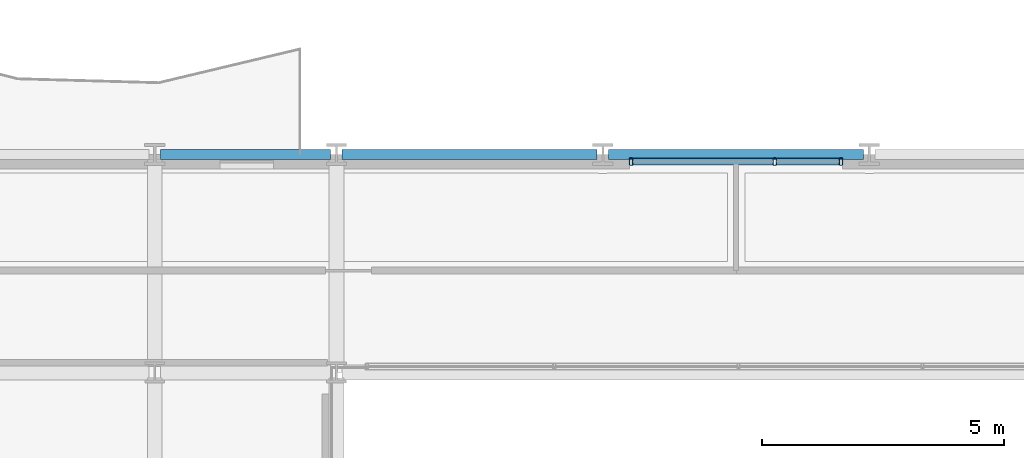
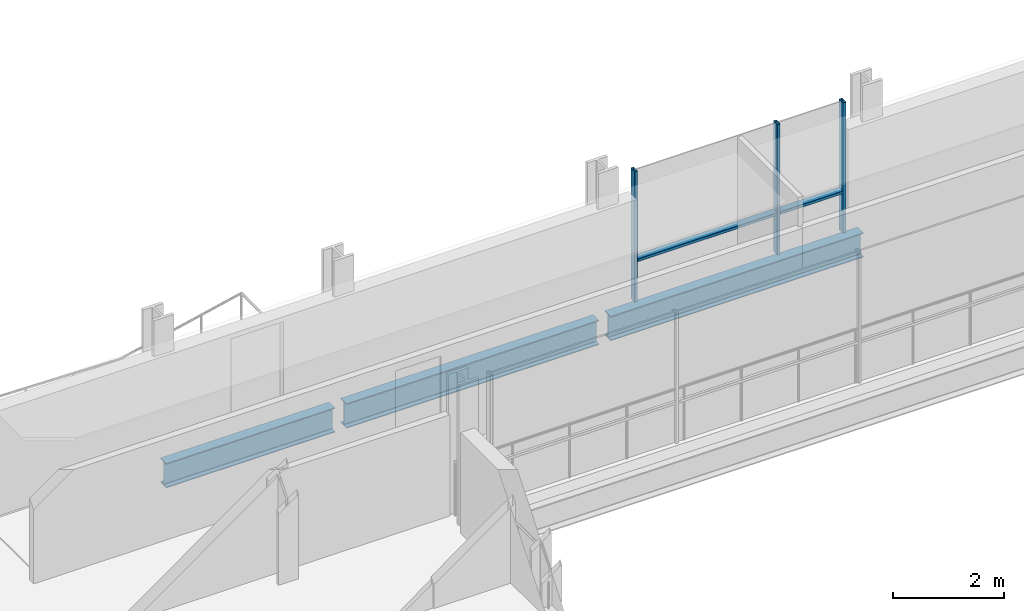
# One storey, part 22 of 41: 5 members, 3 beams, 1 element without a shape of its own.
"""IFC4 building model written with IfcOpenShell, lengths in metres."""

import ifcopenshell
import ifcopenshell.guid

model = None  # the IFC model being written
_history = None  # IfcOwnerHistory: only IFC2X3 demands one
_inside = {}  # id of a spatial element -> (the spatial element, [elements in it])
_under = {}  # id of a project, library or spatial element -> (it, [spatial elements below it])
_declared = {}  # id of a project -> (the project, [libraries it declares])
_typed = {}  # id of a type object -> (the type object, [elements of that type])
_made_of = {}  # id of a material, layer set ... -> (it, [elements and type objects made of it])


def new_model(schema):
    """Start an empty IFC model of exactly this schema.

    Asked for "IFC4X3", IfcOpenShell would pick the latest addendum, in which some entities
    have other attributes; the version numbers below select the first issue.
    IFC2X3 requires an IfcOwnerHistory on every rooted entity: one is made here for all.
    """
    global model, _history
    if schema == "IFC4X3":
        model = ifcopenshell.file(schema_version=(4, 3, 0, 0))
    else:
        model = ifcopenshell.file(schema=schema)
    _inside.clear()
    _under.clear()
    _declared.clear()
    _typed.clear()
    _made_of.clear()
    _history = None
    if model.schema == "IFC2X3":
        org = make("IfcOrganization", Name="unknown")
        user = make(
            "IfcPersonAndOrganization",
            ThePerson=make("IfcPerson", FamilyName="unknown"),
            TheOrganization=org,
        )
        app = make(
            "IfcApplication",
            ApplicationDeveloper=org,
            Version="unknown",
            ApplicationFullName="unknown",
            ApplicationIdentifier="unknown",
        )
        _history = make(
            "IfcOwnerHistory",
            OwningUser=user,
            OwningApplication=app,
            ChangeAction="ADDED",
            CreationDate=0,
        )
    return model


def make(cls, **values):
    """One entity of the class cls with the attributes given. An attribute that is None is left unset."""
    return model.create_entity(
        cls, **{name: value for name, value in values.items() if value is not None}
    )


def rooted(cls, **values):
    """An entity with a GlobalId (a new one), such as an element, a storey or a relation."""
    return make(cls, GlobalId=ifcopenshell.guid.new(), OwnerHistory=_history, **values)


def si_unit(unit_type, name, prefix=None):
    """IfcSIUnit, for example si_unit("LENGTHUNIT", "METRE", prefix="MILLI")."""
    return make("IfcSIUnit", UnitType=unit_type, Prefix=prefix, Name=name)


def assignment(units):
    """IfcUnitAssignment: the units of a project."""
    return None if units is None else make("IfcUnitAssignment", Units=units)


def point(xyz):
    """IfcCartesianPoint."""
    return None if xyz is None else make("IfcCartesianPoint", Coordinates=xyz)


def direction(xyz):
    """IfcDirection."""
    return None if xyz is None else make("IfcDirection", DirectionRatios=xyz)


def frame(location, z_axis=None, x_axis=None):
    """IfcAxis2Placement3D, a coordinate frame: its origin and axes. An axis left out is left unset."""
    return make(
        "IfcAxis2Placement3D",
        Location=point(location),
        Axis=direction(z_axis),
        RefDirection=direction(x_axis),
    )


def frame_2d(location, x_axis=None):
    """IfcAxis2Placement2D, a coordinate frame in the plane: its origin and x axis."""
    return make(
        "IfcAxis2Placement2D", Location=point(location), RefDirection=direction(x_axis)
    )


def origin():
    """The frame at (0, 0, 0) with its axes left unset."""
    return frame((0.0, 0.0, 0.0))


def origin_2d():
    """The frame at (0, 0) in the plane with its x axis left unset."""
    return frame_2d((0.0, 0.0))


def place(relative_to, where):
    """IfcLocalPlacement: puts the frame where relative to a parent placement (None: the world)."""
    return make(
        "IfcLocalPlacement", PlacementRelTo=relative_to, RelativePlacement=where
    )


def context(
    kind, dimensions, precision=None, world=None, true_north=None, identifier=None
):
    """IfcGeometricRepresentationContext, for example the 3D "Model" context."""
    return make(
        "IfcGeometricRepresentationContext",
        ContextIdentifier=identifier,
        ContextType=kind,
        CoordinateSpaceDimension=dimensions,
        Precision=precision,
        WorldCoordinateSystem=world,
        TrueNorth=true_north,
    )


def subcontext(parent, identifier, kind, view, scale=None):
    """IfcGeometricRepresentationSubContext, for example "Body" below "Model"."""
    return make(
        "IfcGeometricRepresentationSubContext",
        ContextIdentifier=identifier,
        ContextType=kind,
        ParentContext=parent,
        TargetScale=scale,
        TargetView=view,
    )


def project(units=None, contexts=None):
    """IfcProject with its units and contexts."""
    return rooted(
        "IfcProject",
        Name="project",
        RepresentationContexts=contexts,
        UnitsInContext=assignment(units),
    )


def spatial(cls, under=None, at=None, **own):
    """A site, building, storey or space (cls), placed at a placement, below another one or the project."""
    s = rooted(cls, ObjectPlacement=at, **own)
    if under is not None:
        _under.setdefault(under.id(), (under, []))[1].append(s)
    return s


def profile(cls, at=None, kind="AREA", **sizes):
    """A parametric profile (cls). Its sizes go by their IFC names, for example OverallWidth=200.0."""
    return make(cls, ProfileType=kind, Position=at, **sizes)


def hollow_rectangle(**sizes):
    """IfcRectangleHollowProfileDef."""
    return profile("IfcRectangleHollowProfileDef", **sizes)


def i_section(**sizes):
    """IfcIShapeProfileDef."""
    return profile("IfcIShapeProfileDef", **sizes)


def extrude(swept, where, along, depth):
    """IfcExtrudedAreaSolid: the profile swept, set in the frame where, extruded along a direction by depth."""
    return make(
        "IfcExtrudedAreaSolid",
        SweptArea=swept,
        Position=where,
        ExtrudedDirection=direction(along),
        Depth=depth,
    )


def shape(context_of_items, identifier, shape_type, items):
    """IfcShapeRepresentation: the items that make up one representation, for example the "Body"."""
    return make(
        "IfcShapeRepresentation",
        ContextOfItems=context_of_items,
        RepresentationIdentifier=identifier,
        RepresentationType=shape_type,
        Items=items,
    )


def material(Name=None, Category=None):
    """IfcMaterial."""
    return make("IfcMaterial", Name=Name, Category=Category)


def layer(
    of_material, thickness, ventilated=None, Name=None, Category=None, Priority=None
):
    """IfcMaterialLayer: one layer of a wall or slab, of a material (None: an air gap)."""
    return make(
        "IfcMaterialLayer",
        Material=of_material,
        LayerThickness=thickness,
        IsVentilated=ventilated,
        Name=Name,
        Category=Category,
        Priority=Priority,
    )


def layer_set(layers, Name=None):
    """IfcMaterialLayerSet."""
    return make("IfcMaterialLayerSet", MaterialLayers=layers, LayerSetName=Name)


def material_profile(
    of_material, cross_section, Name=None, Category=None, Priority=None
):
    """IfcMaterialProfile: a cross section and its material."""
    return make(
        "IfcMaterialProfile",
        Name=Name,
        Material=of_material,
        Profile=cross_section,
        Priority=Priority,
        Category=Category,
    )


def profile_set(profiles, Name=None, composite=None):
    """IfcMaterialProfileSet."""
    return make(
        "IfcMaterialProfileSet",
        Name=Name,
        MaterialProfiles=profiles,
        CompositeProfile=composite,
    )


def made_of(thing, what):
    """Note that an element or type object is made of a material, layer set ...; save() writes the relation."""
    if what is not None:
        _made_of.setdefault(what.id(), (what, []))[1].append(thing)
    return thing


def type_object(cls, material=None, **own):
    """A type object (cls), such as IfcWallType, which elements share."""
    return made_of(rooted(cls, **own), material)


def element(
    cls,
    number,
    at=None,
    inside=None,
    cuts=None,
    type_object=None,
    material=None,
    context=None,
    identifier="Body",
    shape_type=None,
    held_by="IfcProductDefinitionShape",
    body=None,
    shapes=None,
    **own,
):
    """One element of the class cls, such as IfcWall. Its Tag is "e" and its number.

    at: its placement. inside: the storey or other place that contains it. cuts: it is an
    opening in that element (IfcRelVoidsElement). A single representation is given by context,
    identifier, shape_type and body (its items); several are given by shapes. held_by: the class
    of the entity that holds the representations. save() writes the other relations.
    """
    e = rooted(cls, Tag="e%d" % number, ObjectPlacement=at, **own)
    if body is not None:
        shapes = [shape(context, identifier, shape_type, body)]
    if shapes is not None:
        e.Representation = make(held_by, Representations=shapes)
    if inside is not None:
        _inside.setdefault(inside.id(), (inside, []))[1].append(e)
    if cuts is not None:
        rooted(
            "IfcRelVoidsElement", RelatingBuildingElement=cuts, RelatedOpeningElement=e
        )
    if type_object is not None:
        _typed.setdefault(type_object.id(), (type_object, []))[1].append(e)
    return made_of(e, material)


def aggregate(whole, parts):
    """IfcRelAggregates: a whole, such as a stair, and the parts it consists of."""
    return rooted("IfcRelAggregates", RelatingObject=whole, RelatedObjects=parts)


def save(model, path):
    """Write the relations noted so far, then the file.

    IfcRelAggregates (storeys below a building ...), IfcRelContainedInSpatialStructure (elements
    in a storey), IfcRelDefinesByType, IfcRelAssociatesMaterial and IfcRelDeclares: one each for
    every whole, place, type object, material and project.
    """
    for whole, parts in _under.values():
        aggregate(whole, parts)
    for where, things in _inside.values():
        rooted(
            "IfcRelContainedInSpatialStructure",
            RelatedElements=things,
            RelatingStructure=where,
        )
    for kind, things in _typed.values():
        rooted("IfcRelDefinesByType", RelatedObjects=things, RelatingType=kind)
    for what, things in _made_of.values():
        rooted("IfcRelAssociatesMaterial", RelatedObjects=things, RelatingMaterial=what)
    for by, libraries in _declared.values():
        rooted("IfcRelDeclares", RelatingContext=by, RelatedDefinitions=libraries)
    model.write(path)


model = new_model("IFC4")

# Units and contexts
model_context = context("Model", 3, precision=1e-05, world=origin(), true_north=direction((0.0, 1.0)))
body_context = subcontext(model_context, "Body", "Model", "MODEL_VIEW")
ifc_project = project(units=[si_unit("LENGTHUNIT", "METRE"), si_unit("AREAUNIT", "SQUARE_METRE"), si_unit("VOLUMEUNIT", "CUBIC_METRE"), si_unit("PLANEANGLEUNIT", "RADIAN"), si_unit("MASSUNIT", "GRAM", prefix="KILO")], contexts=[model_context])

# Site, building, storey
site_placement = place(None, origin())
site = spatial("IfcSite", under=ifc_project, at=site_placement, CompositionType="ELEMENT")
building_placement = place(site_placement, origin())
building = spatial("IfcBuilding", under=site, at=building_placement, Name="Brevholm Reach", CompositionType="ELEMENT")
storey_placement = place(building_placement, frame((0.0, 0.0, 68.300048828125)))
storey = spatial("IfcBuildingStorey", under=building, at=storey_placement, Name="L19", CompositionType="ELEMENT", Elevation=68.300048828125)

# Beams
ifc_material_1 = material(Name="Structural Steel S355J2", Category="steel")
ifc_material_profile_1 = material_profile(ifc_material_1, i_section(OverallWidth=0.210693359375, OverallDepth=0.53955078125, WebThickness=0.01171875, FlangeThickness=0.018798828125, FilletRadius=0.0126953125, at=origin_2d()), Name="UKB 533x210x109")
ifc_profile_set_1 = profile_set([ifc_material_profile_1], Name="Structural Steel S355J2")
beam_type = type_object("IfcBeamType", Name="BM-SP539", PredefinedType="SPANDREL", material=ifc_profile_set_1)
beam_placement = place(storey_placement, frame((18.1201171875, 31.0, -0.499755859375), z_axis=(1.0, 0.0, 0.0), x_axis=(0.0, 1.0, 0.0)))
element("IfcBeam", 1, at=beam_placement, inside=storey, type_object=beam_type, Name="L19 SP-01B Framing Beam", PredefinedType="SPANDREL", context=body_context, shape_type="SweptSolid", body=[
    extrude(i_section(OverallWidth=0.210693359375, OverallDepth=0.53955078125, WebThickness=0.01171875, FlangeThickness=0.018798828125, FilletRadius=0.0126953125, at=origin_2d()), origin(), (0.0, 0.0, 1.0), 3.509765625),
])
for number, where, z_axis, x_axis, name in (
    (2, (21.8701171875, 31.0, -0.499755859375), (1.0, 0.0, 0.0), (0.0, 1.0, 0.0), "L19 SP-01B Framing Beam"),
    (3, (27.3701171875, 31.0, -0.499755859375), (1.0, 0.0, 0.0), (0.0, 1.0, 0.0), "L19 SP-01B Framing Beam"),
):
    element("IfcBeam", number, at=place(storey_placement, frame(where, z_axis=z_axis, x_axis=x_axis)), inside=storey, type_object=beam_type, Name=name, PredefinedType="SPANDREL", context=body_context, shape_type="SweptSolid", body=[
        extrude(i_section(OverallWidth=0.210693359375, OverallDepth=0.53955078125, WebThickness=0.01171875, FlangeThickness=0.018798828125, FilletRadius=0.0126953125, at=origin_2d()), origin(), (0.0, 0.0, 1.0), 5.259765625),
    ])

# Curtain wall, members
ifc_material_2 = material(Name="Dark Anodised Aluminium 6063-T6 and Solar-Control Glass", Category="aluminium")
ifc_layer = layer(ifc_material_2, 0.14990234375)
ifc_layer_set = layer_set([ifc_layer], Name="Dark Anodised Aluminium 6063-T6 and Solar-Control Glass")
curtain_wall_type = type_object("IfcCurtainWallType", Name="CW-01", PredefinedType="NOTDEFINED", material=ifc_layer_set)
curtain_wall_placement = place(storey_placement, origin())
curtain_wall = element("IfcCurtainWall", 4, at=curtain_wall_placement, inside=storey, type_object=curtain_wall_type, Name="L19 Curtain Wall CW-01", PredefinedType="NOTDEFINED")
ifc_material_3 = material(Name="Dark Anodised Aluminium 6063-T6", Category="aluminium")
ifc_material_profile_2 = material_profile(ifc_material_3, hollow_rectangle(XDim=0.06494140625, YDim=0.14990234375, WallThickness=0.0048828125, InnerFilletRadius=0.0048828125, OuterFilletRadius=0.010009765625, at=origin_2d()), Name="RHS 150x65x5")
ifc_profile_set_2 = profile_set([ifc_material_profile_2], Name="Dark Anodised Aluminium 6063-T6")
member_type_1 = type_object("IfcMemberType", Name="CWM-150", PredefinedType="MULLION", material=ifc_profile_set_2)
member_1_placement = place(storey_placement, frame((27.83251953125, 30.85009765625, 0.0), z_axis=(0.0, 0.0, 1.0), x_axis=(1.0, 0.0, 0.0)))
member_1 = element("IfcMember", 5, at=member_1_placement, type_object=member_type_1, Name="CM-150 Mullion 1", PredefinedType="MULLION", context=body_context, shape_type="SweptSolid", body=[
    extrude(hollow_rectangle(XDim=0.06494140625, YDim=0.14990234375, WallThickness=0.0048828125, InnerFilletRadius=0.0048828125, OuterFilletRadius=0.010009765625, at=origin_2d()), origin(), (0.0, 0.0, 1.0), 2.869873046875),
])
member_2_placement = place(storey_placement, frame((30.800048828125, 30.85009765625, 0.0), z_axis=(0.0, 0.0, 1.0), x_axis=(1.0, 0.0, 0.0)))
member_2 = element("IfcMember", 6, at=member_2_placement, type_object=member_type_1, Name="CM-150 Mullion 2", PredefinedType="MULLION", context=body_context, shape_type="SweptSolid", body=[
    extrude(hollow_rectangle(XDim=0.06494140625, YDim=0.14990234375, WallThickness=0.0048828125, InnerFilletRadius=0.0048828125, OuterFilletRadius=0.010009765625, at=origin_2d()), origin(), (0.0, 0.0, 1.0), 2.869873046875),
])
member_3_placement = place(storey_placement, frame((32.16748046875, 30.85009765625, 0.0), z_axis=(0.0, 0.0, 1.0), x_axis=(1.0, 0.0, 0.0)))
member_3 = element("IfcMember", 7, at=member_3_placement, type_object=member_type_1, Name="CM-150 Mullion 3", PredefinedType="MULLION", context=body_context, shape_type="SweptSolid", body=[
    extrude(hollow_rectangle(XDim=0.06494140625, YDim=0.14990234375, WallThickness=0.0048828125, InnerFilletRadius=0.0048828125, OuterFilletRadius=0.010009765625, at=origin_2d()), origin(), (0.0, 0.0, 1.0), 2.869873046875),
])
ifc_material_4 = material(Name="Dark Anodised Aluminium 6063-T6", Category="aluminium")
ifc_material_profile_3 = material_profile(ifc_material_4, hollow_rectangle(XDim=0.06494140625, YDim=0.14990234375, WallThickness=0.0048828125, InnerFilletRadius=0.0048828125, OuterFilletRadius=0.010009765625, at=origin_2d()), Name="RHS 150x65x5")
ifc_profile_set_3 = profile_set([ifc_material_profile_3], Name="Dark Anodised Aluminium 6063-T6")
member_type_2 = type_object("IfcMemberType", Name="CWT-150", PredefinedType="NOTDEFINED", material=ifc_profile_set_3)
member_4_placement = place(storey_placement, frame((27.864990234375, 30.85009765625, 0.89990234375), z_axis=(1.0, 0.0, 0.0), x_axis=(0.0, 0.0, 1.0)))
member_4 = element("IfcMember", 8, at=member_4_placement, type_object=member_type_2, Name="CT-150 Transom 1.1", ObjectType="TRANSOM", PredefinedType="USERDEFINED", context=body_context, shape_type="SweptSolid", body=[
    extrude(hollow_rectangle(XDim=0.06494140625, YDim=0.14990234375, WallThickness=0.0048828125, InnerFilletRadius=0.0048828125, OuterFilletRadius=0.010009765625, at=origin_2d()), origin(), (0.0, 0.0, 1.0), 2.902587890625),
])
member_5_placement = place(storey_placement, frame((30.83251953125, 30.85009765625, 0.89990234375), z_axis=(1.0, 0.0, 0.0), x_axis=(0.0, 0.0, 1.0)))
member_5 = element("IfcMember", 9, at=member_5_placement, type_object=member_type_2, Name="CT-150 Transom 2.1", ObjectType="TRANSOM", PredefinedType="USERDEFINED", context=body_context, shape_type="SweptSolid", body=[
    extrude(hollow_rectangle(XDim=0.06494140625, YDim=0.14990234375, WallThickness=0.0048828125, InnerFilletRadius=0.0048828125, OuterFilletRadius=0.010009765625, at=origin_2d()), origin(), (0.0, 0.0, 1.0), 1.302490234375),
])
aggregate(curtain_wall, [member_1, member_2, member_3, member_4, member_5])

save(model, "model.ifc")
